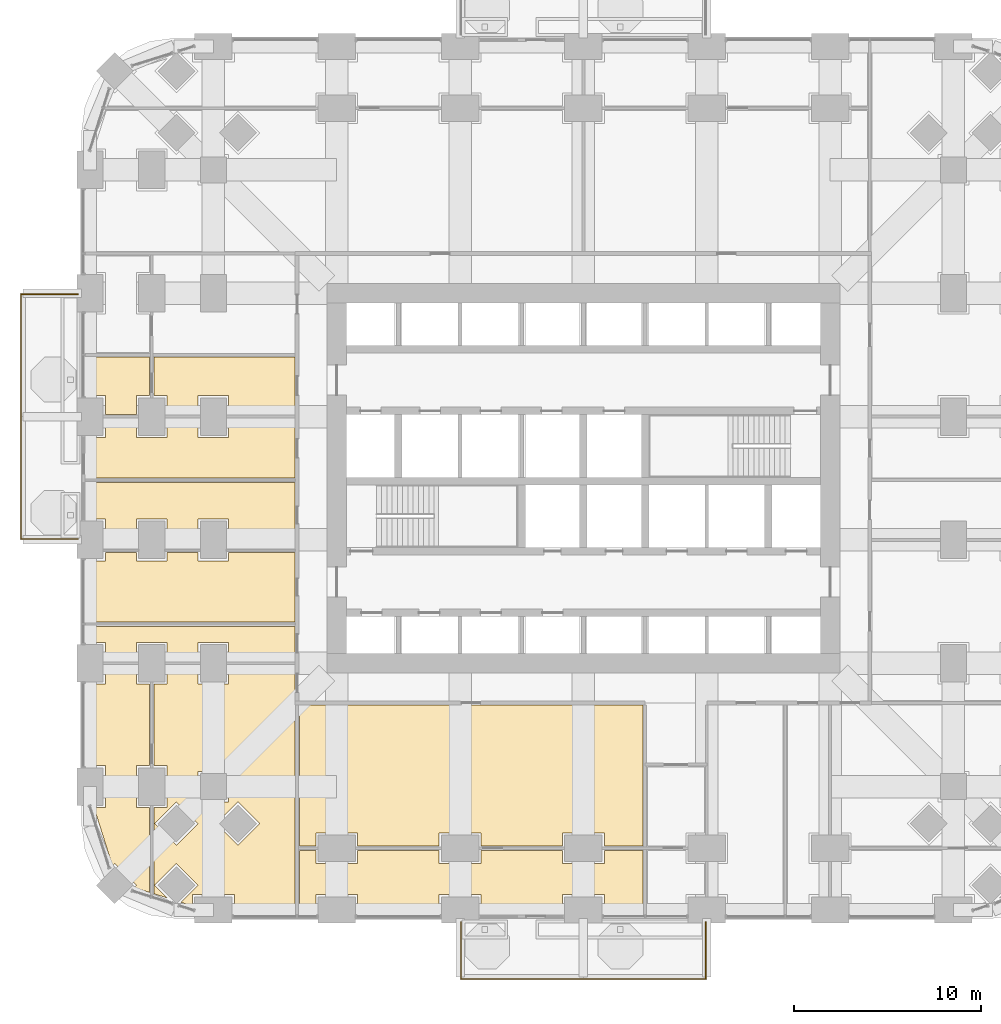
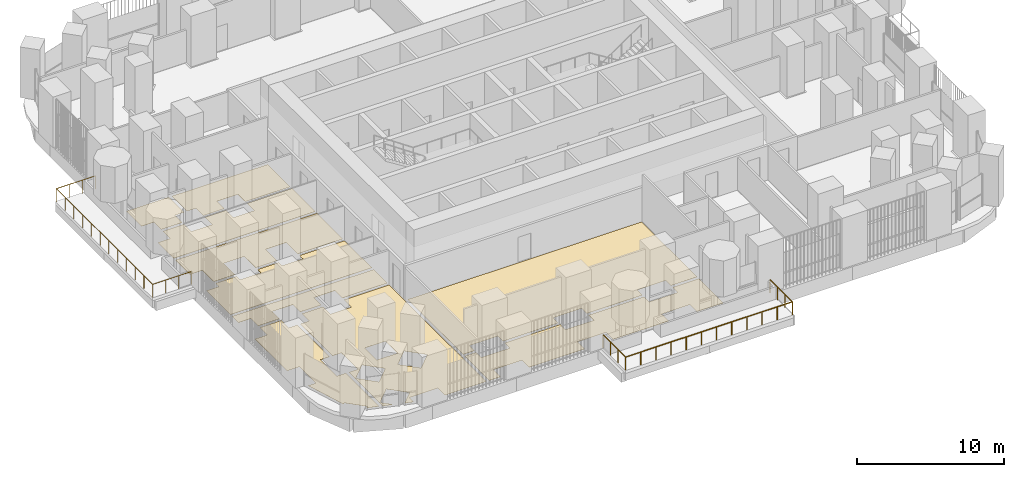
# One storey, part 20 of 24: 10 coverings, 2 railings.
"""IFC4 building model written with IfcOpenShell, lengths in metres."""

from ifc_helpers import new_model, si_unit, direction, frame, origin, place, context, subcontext, project, spatial, polyline, outline, extrude, material, layer, layer_set, type_object, element, save


model = new_model("IFC4")

# Units and contexts
model_context = context("Model", 3, precision=1e-05, world=origin(), true_north=direction((0.0, 1.0)))
body_context = subcontext(model_context, "Body", "Model", "MODEL_VIEW")
ifc_project = project(units=[si_unit("LENGTHUNIT", "METRE"), si_unit("AREAUNIT", "SQUARE_METRE"), si_unit("VOLUMEUNIT", "CUBIC_METRE"), si_unit("PLANEANGLEUNIT", "RADIAN"), si_unit("MASSUNIT", "GRAM", prefix="KILO")], contexts=[model_context])

# Site, building, storey
site_placement = place(None, origin())
site = spatial("IfcSite", under=ifc_project, at=site_placement, CompositionType="ELEMENT")
building_placement = place(site_placement, origin())
building = spatial("IfcBuilding", under=site, at=building_placement, Name="Cobogo Forest Laboratory Tower", CompositionType="ELEMENT")
storey_placement = place(building_placement, frame((0.0, 0.0, 17.10009765625)))
storey = spatial("IfcBuildingStorey", under=building, at=storey_placement, Name="L03", CompositionType="ELEMENT", Elevation=17.10009765625)

# Railings
ifc_material_1 = material(Name="Laminated glass balustrade", Category="glass")
railing_type = type_object("IfcRailingType", Name="BG1 glass balustrade 1100", PredefinedType="GUARDRAIL", material=ifc_material_1)
railing_1_placement = place(storey_placement, frame((19.85009765625, -0.64990234375, 0.0)))
element("IfcRailing", 1, at=railing_1_placement, inside=storey, type_object=railing_type, Name="Balcony balustrade BAL-S1 L03", PredefinedType="GUARDRAIL", context=body_context, shape_type="SweptSolid", body=[
    extrude(outline(polyline([(0.022216796875, 0.00927734375), (0.00927734375, 0.022216796875), (-0.00927734375, 0.022216796875), (-0.022216796875, 0.00927734375), (-0.022216796875, -0.00927734375), (-0.00927734375, -0.022216796875), (0.00927734375, -0.022216796875), (0.022216796875, -0.00927734375), (0.022216796875, 0.00927734375)])), frame((0.0, 0.0, 1.077880859375), z_axis=(0.0, -1.0, 0.0), x_axis=(1.0, 0.0, 0.0)), (0.0, 0.0, 1.0), 3.050048828125),
    extrude(outline(polyline([(0.022216796875, 0.00927734375), (0.00927734375, 0.022216796875), (-0.00927734375, 0.022216796875), (-0.022216796875, 0.00927734375), (-0.022216796875, -0.00927734375), (-0.00927734375, -0.022216796875), (0.00927734375, -0.022216796875), (0.022216796875, -0.00927734375), (0.022216796875, 0.00927734375)])), frame((0.0, -3.050048828125, 1.077880859375), z_axis=(1.0, 0.0, 0.0), x_axis=(0.0, 1.0, 0.0)), (0.0, 0.0, 1.0), 13.099853515625),
    extrude(outline(polyline([(0.022216796875, 0.00927734375), (0.00927734375, 0.022216796875), (-0.00927734375, 0.022216796875), (-0.022216796875, 0.00927734375), (-0.022216796875, -0.00927734375), (-0.00927734375, -0.022216796875), (0.00927734375, -0.022216796875), (0.022216796875, -0.00927734375), (0.022216796875, 0.00927734375)])), frame((13.099853515625, -3.050048828125, 1.077880859375), z_axis=(0.0, 1.0, 0.0), x_axis=(-1.0, 0.0, 0.0)), (0.0, 0.0, 1.0), 3.050048828125),
    extrude(outline(polyline([(0.019287109375, 0.008056640625), (0.008056640625, 0.019287109375), (-0.008056640625, 0.019287109375), (-0.019287109375, 0.008056640625), (-0.019287109375, -0.008056640625), (-0.008056640625, -0.019287109375), (0.008056640625, -0.019287109375), (0.019287109375, -0.008056640625), (0.019287109375, 0.008056640625)])), origin(), (0.0, 0.0, 1.0), 1.077880859375),
    extrude(outline(polyline([(0.019287109375, 0.008056640625), (0.008056640625, 0.019287109375), (-0.008056640625, 0.019287109375), (-0.019287109375, 0.008056640625), (-0.019287109375, -0.008056640625), (-0.008056640625, -0.019287109375), (0.008056640625, -0.019287109375), (0.019287109375, -0.008056640625), (0.019287109375, 0.008056640625)])), frame((0.0, -1.0166015625, 0.0)), (0.0, 0.0, 1.0), 1.077880859375),
    extrude(outline(polyline([(0.019287109375, 0.008056640625), (0.008056640625, 0.019287109375), (-0.008056640625, 0.019287109375), (-0.019287109375, 0.008056640625), (-0.019287109375, -0.008056640625), (-0.008056640625, -0.019287109375), (0.008056640625, -0.019287109375), (0.019287109375, -0.008056640625), (0.019287109375, 0.008056640625)])), frame((0.0, -2.033447265625, 0.0)), (0.0, 0.0, 1.0), 1.077880859375),
    extrude(outline(polyline([(0.019287109375, 0.008056640625), (0.008056640625, 0.019287109375), (-0.008056640625, 0.019287109375), (-0.019287109375, 0.008056640625), (-0.019287109375, -0.008056640625), (-0.008056640625, -0.019287109375), (0.008056640625, -0.019287109375), (0.019287109375, -0.008056640625), (0.019287109375, 0.008056640625)])), frame((0.0, -3.050048828125, 0.0)), (0.0, 0.0, 1.0), 1.077880859375),
    extrude(outline(polyline([(0.019287109375, 0.008056640625), (0.008056640625, 0.019287109375), (-0.008056640625, 0.019287109375), (-0.019287109375, 0.008056640625), (-0.019287109375, -0.008056640625), (-0.008056640625, -0.019287109375), (0.008056640625, -0.019287109375), (0.019287109375, -0.008056640625), (0.019287109375, 0.008056640625)])), frame((1.19091796875, -3.050048828125, 0.0)), (0.0, 0.0, 1.0), 1.077880859375),
    extrude(outline(polyline([(0.019287109375, 0.008056640625), (0.008056640625, 0.019287109375), (-0.008056640625, 0.019287109375), (-0.019287109375, 0.008056640625), (-0.019287109375, -0.008056640625), (-0.008056640625, -0.019287109375), (0.008056640625, -0.019287109375), (0.019287109375, -0.008056640625), (0.019287109375, 0.008056640625)])), frame((2.3818359375, -3.050048828125, 0.0)), (0.0, 0.0, 1.0), 1.077880859375),
    extrude(outline(polyline([(0.019287109375, 0.008056640625), (0.008056640625, 0.019287109375), (-0.008056640625, 0.019287109375), (-0.019287109375, 0.008056640625), (-0.019287109375, -0.008056640625), (-0.008056640625, -0.019287109375), (0.008056640625, -0.019287109375), (0.019287109375, -0.008056640625), (0.019287109375, 0.008056640625)])), frame((3.57275390625, -3.050048828125, 0.0)), (0.0, 0.0, 1.0), 1.077880859375),
    extrude(outline(polyline([(0.019287109375, 0.008056640625), (0.008056640625, 0.019287109375), (-0.008056640625, 0.019287109375), (-0.019287109375, 0.008056640625), (-0.019287109375, -0.008056640625), (-0.008056640625, -0.019287109375), (0.008056640625, -0.019287109375), (0.019287109375, -0.008056640625), (0.019287109375, 0.008056640625)])), frame((4.763671875, -3.050048828125, 0.0)), (0.0, 0.0, 1.0), 1.077880859375),
    extrude(outline(polyline([(0.019287109375, 0.008056640625), (0.008056640625, 0.019287109375), (-0.008056640625, 0.019287109375), (-0.019287109375, 0.008056640625), (-0.019287109375, -0.008056640625), (-0.008056640625, -0.019287109375), (0.008056640625, -0.019287109375), (0.019287109375, -0.008056640625), (0.019287109375, 0.008056640625)])), frame((5.95458984375, -3.050048828125, 0.0)), (0.0, 0.0, 1.0), 1.077880859375),
    extrude(outline(polyline([(0.019287109375, 0.008056640625), (0.008056640625, 0.019287109375), (-0.008056640625, 0.019287109375), (-0.019287109375, 0.008056640625), (-0.019287109375, -0.008056640625), (-0.008056640625, -0.019287109375), (0.008056640625, -0.019287109375), (0.019287109375, -0.008056640625), (0.019287109375, 0.008056640625)])), frame((7.145263671875, -3.050048828125, 0.0)), (0.0, 0.0, 1.0), 1.077880859375),
    extrude(outline(polyline([(0.019287109375, 0.008056640625), (0.008056640625, 0.019287109375), (-0.008056640625, 0.019287109375), (-0.019287109375, 0.008056640625), (-0.019287109375, -0.008056640625), (-0.008056640625, -0.019287109375), (0.008056640625, -0.019287109375), (0.019287109375, -0.008056640625), (0.019287109375, 0.008056640625)])), frame((8.336181640625, -3.050048828125, 0.0)), (0.0, 0.0, 1.0), 1.077880859375),
    extrude(outline(polyline([(0.019287109375, 0.008056640625), (0.008056640625, 0.019287109375), (-0.008056640625, 0.019287109375), (-0.019287109375, 0.008056640625), (-0.019287109375, -0.008056640625), (-0.008056640625, -0.019287109375), (0.008056640625, -0.019287109375), (0.019287109375, -0.008056640625), (0.019287109375, 0.008056640625)])), frame((9.527099609375, -3.050048828125, 0.0)), (0.0, 0.0, 1.0), 1.077880859375),
    extrude(outline(polyline([(0.019287109375, 0.008056640625), (0.008056640625, 0.019287109375), (-0.008056640625, 0.019287109375), (-0.019287109375, 0.008056640625), (-0.019287109375, -0.008056640625), (-0.008056640625, -0.019287109375), (0.008056640625, -0.019287109375), (0.019287109375, -0.008056640625), (0.019287109375, 0.008056640625)])), frame((10.718017578125, -3.050048828125, 0.0)), (0.0, 0.0, 1.0), 1.077880859375),
    extrude(outline(polyline([(0.019287109375, 0.008056640625), (0.008056640625, 0.019287109375), (-0.008056640625, 0.019287109375), (-0.019287109375, 0.008056640625), (-0.019287109375, -0.008056640625), (-0.008056640625, -0.019287109375), (0.008056640625, -0.019287109375), (0.019287109375, -0.008056640625), (0.019287109375, 0.008056640625)])), frame((11.908935546875, -3.050048828125, 0.0)), (0.0, 0.0, 1.0), 1.077880859375),
    extrude(outline(polyline([(0.019287109375, 0.008056640625), (0.008056640625, 0.019287109375), (-0.008056640625, 0.019287109375), (-0.019287109375, 0.008056640625), (-0.019287109375, -0.008056640625), (-0.008056640625, -0.019287109375), (0.008056640625, -0.019287109375), (0.019287109375, -0.008056640625), (0.019287109375, 0.008056640625)])), frame((13.099853515625, -3.050048828125, 0.0)), (0.0, 0.0, 1.0), 1.077880859375),
    extrude(outline(polyline([(0.019287109375, 0.008056640625), (0.008056640625, 0.019287109375), (-0.008056640625, 0.019287109375), (-0.019287109375, 0.008056640625), (-0.019287109375, -0.008056640625), (-0.008056640625, -0.019287109375), (0.008056640625, -0.019287109375), (0.019287109375, -0.008056640625), (0.019287109375, 0.008056640625)])), frame((13.099853515625, -2.033447265625, 0.0)), (0.0, 0.0, 1.0), 1.077880859375),
    extrude(outline(polyline([(0.019287109375, 0.008056640625), (0.008056640625, 0.019287109375), (-0.008056640625, 0.019287109375), (-0.019287109375, 0.008056640625), (-0.019287109375, -0.008056640625), (-0.008056640625, -0.019287109375), (0.008056640625, -0.019287109375), (0.019287109375, -0.008056640625), (0.019287109375, 0.008056640625)])), frame((13.099853515625, -1.0166015625, 0.0)), (0.0, 0.0, 1.0), 1.077880859375),
    extrude(outline(polyline([(0.019287109375, 0.008056640625), (0.008056640625, 0.019287109375), (-0.008056640625, 0.019287109375), (-0.019287109375, 0.008056640625), (-0.019287109375, -0.008056640625), (-0.008056640625, -0.019287109375), (0.008056640625, -0.019287109375), (0.019287109375, -0.008056640625), (0.019287109375, 0.008056640625)])), frame((13.099853515625, 0.0, 0.0)), (0.0, 0.0, 1.0), 1.077880859375),
])
railing_2_placement = place(storey_placement, frame((-0.64990234375, 19.85009765625, 0.0)))
element("IfcRailing", 2, at=railing_2_placement, inside=storey, type_object=railing_type, Name="Balcony balustrade BAL-W1 L03", PredefinedType="GUARDRAIL", context=body_context, shape_type="SweptSolid", body=[
    extrude(outline(polyline([(0.022216796875, 0.00927734375), (0.00927734375, 0.022216796875), (-0.00927734375, 0.022216796875), (-0.022216796875, 0.00927734375), (-0.022216796875, -0.00927734375), (-0.00927734375, -0.022216796875), (0.00927734375, -0.022216796875), (0.022216796875, -0.00927734375), (0.022216796875, 0.00927734375)])), frame((0.0, 0.0, 1.077880859375), z_axis=(-1.0, 0.0, 0.0), x_axis=(0.0, -1.0, 0.0)), (0.0, 0.0, 1.0), 3.050048828125),
    extrude(outline(polyline([(0.022216796875, 0.00927734375), (0.00927734375, 0.022216796875), (-0.00927734375, 0.022216796875), (-0.022216796875, 0.00927734375), (-0.022216796875, -0.00927734375), (-0.00927734375, -0.022216796875), (0.00927734375, -0.022216796875), (0.022216796875, -0.00927734375), (0.022216796875, 0.00927734375)])), frame((-3.050048828125, 0.0, 1.077880859375), z_axis=(0.0, 1.0, 0.0), x_axis=(-1.0, 0.0, 0.0)), (0.0, 0.0, 1.0), 13.099853515625),
    extrude(outline(polyline([(0.022216796875, 0.00927734375), (0.00927734375, 0.022216796875), (-0.00927734375, 0.022216796875), (-0.022216796875, 0.00927734375), (-0.022216796875, -0.00927734375), (-0.00927734375, -0.022216796875), (0.00927734375, -0.022216796875), (0.022216796875, -0.00927734375), (0.022216796875, 0.00927734375)])), frame((-3.050048828125, 13.099853515625, 1.077880859375), z_axis=(1.0, 0.0, 0.0), x_axis=(0.0, 1.0, 0.0)), (0.0, 0.0, 1.0), 3.050048828125),
    extrude(outline(polyline([(0.019287109375, 0.008056640625), (0.008056640625, 0.019287109375), (-0.008056640625, 0.019287109375), (-0.019287109375, 0.008056640625), (-0.019287109375, -0.008056640625), (-0.008056640625, -0.019287109375), (0.008056640625, -0.019287109375), (0.019287109375, -0.008056640625), (0.019287109375, 0.008056640625)])), origin(), (0.0, 0.0, 1.0), 1.077880859375),
    extrude(outline(polyline([(0.019287109375, 0.008056640625), (0.008056640625, 0.019287109375), (-0.008056640625, 0.019287109375), (-0.019287109375, 0.008056640625), (-0.019287109375, -0.008056640625), (-0.008056640625, -0.019287109375), (0.008056640625, -0.019287109375), (0.019287109375, -0.008056640625), (0.019287109375, 0.008056640625)])), frame((-1.0166015625, 0.0, 0.0)), (0.0, 0.0, 1.0), 1.077880859375),
    extrude(outline(polyline([(0.019287109375, 0.008056640625), (0.008056640625, 0.019287109375), (-0.008056640625, 0.019287109375), (-0.019287109375, 0.008056640625), (-0.019287109375, -0.008056640625), (-0.008056640625, -0.019287109375), (0.008056640625, -0.019287109375), (0.019287109375, -0.008056640625), (0.019287109375, 0.008056640625)])), frame((-2.033447265625, 0.0, 0.0)), (0.0, 0.0, 1.0), 1.077880859375),
    extrude(outline(polyline([(0.019287109375, 0.008056640625), (0.008056640625, 0.019287109375), (-0.008056640625, 0.019287109375), (-0.019287109375, 0.008056640625), (-0.019287109375, -0.008056640625), (-0.008056640625, -0.019287109375), (0.008056640625, -0.019287109375), (0.019287109375, -0.008056640625), (0.019287109375, 0.008056640625)])), frame((-3.050048828125, 0.0, 0.0)), (0.0, 0.0, 1.0), 1.077880859375),
    extrude(outline(polyline([(0.019287109375, 0.008056640625), (0.008056640625, 0.019287109375), (-0.008056640625, 0.019287109375), (-0.019287109375, 0.008056640625), (-0.019287109375, -0.008056640625), (-0.008056640625, -0.019287109375), (0.008056640625, -0.019287109375), (0.019287109375, -0.008056640625), (0.019287109375, 0.008056640625)])), frame((-3.050048828125, 1.19091796875, 0.0)), (0.0, 0.0, 1.0), 1.077880859375),
    extrude(outline(polyline([(0.019287109375, 0.008056640625), (0.008056640625, 0.019287109375), (-0.008056640625, 0.019287109375), (-0.019287109375, 0.008056640625), (-0.019287109375, -0.008056640625), (-0.008056640625, -0.019287109375), (0.008056640625, -0.019287109375), (0.019287109375, -0.008056640625), (0.019287109375, 0.008056640625)])), frame((-3.050048828125, 2.3818359375, 0.0)), (0.0, 0.0, 1.0), 1.077880859375),
    extrude(outline(polyline([(0.019287109375, 0.008056640625), (0.008056640625, 0.019287109375), (-0.008056640625, 0.019287109375), (-0.019287109375, 0.008056640625), (-0.019287109375, -0.008056640625), (-0.008056640625, -0.019287109375), (0.008056640625, -0.019287109375), (0.019287109375, -0.008056640625), (0.019287109375, 0.008056640625)])), frame((-3.050048828125, 3.57275390625, 0.0)), (0.0, 0.0, 1.0), 1.077880859375),
    extrude(outline(polyline([(0.019287109375, 0.008056640625), (0.008056640625, 0.019287109375), (-0.008056640625, 0.019287109375), (-0.019287109375, 0.008056640625), (-0.019287109375, -0.008056640625), (-0.008056640625, -0.019287109375), (0.008056640625, -0.019287109375), (0.019287109375, -0.008056640625), (0.019287109375, 0.008056640625)])), frame((-3.050048828125, 4.763671875, 0.0)), (0.0, 0.0, 1.0), 1.077880859375),
    extrude(outline(polyline([(0.019287109375, 0.008056640625), (0.008056640625, 0.019287109375), (-0.008056640625, 0.019287109375), (-0.019287109375, 0.008056640625), (-0.019287109375, -0.008056640625), (-0.008056640625, -0.019287109375), (0.008056640625, -0.019287109375), (0.019287109375, -0.008056640625), (0.019287109375, 0.008056640625)])), frame((-3.050048828125, 5.95458984375, 0.0)), (0.0, 0.0, 1.0), 1.077880859375),
    extrude(outline(polyline([(0.019287109375, 0.008056640625), (0.008056640625, 0.019287109375), (-0.008056640625, 0.019287109375), (-0.019287109375, 0.008056640625), (-0.019287109375, -0.008056640625), (-0.008056640625, -0.019287109375), (0.008056640625, -0.019287109375), (0.019287109375, -0.008056640625), (0.019287109375, 0.008056640625)])), frame((-3.050048828125, 7.145263671875, 0.0)), (0.0, 0.0, 1.0), 1.077880859375),
    extrude(outline(polyline([(0.019287109375, 0.008056640625), (0.008056640625, 0.019287109375), (-0.008056640625, 0.019287109375), (-0.019287109375, 0.008056640625), (-0.019287109375, -0.008056640625), (-0.008056640625, -0.019287109375), (0.008056640625, -0.019287109375), (0.019287109375, -0.008056640625), (0.019287109375, 0.008056640625)])), frame((-3.050048828125, 8.336181640625, 0.0)), (0.0, 0.0, 1.0), 1.077880859375),
    extrude(outline(polyline([(0.019287109375, 0.008056640625), (0.008056640625, 0.019287109375), (-0.008056640625, 0.019287109375), (-0.019287109375, 0.008056640625), (-0.019287109375, -0.008056640625), (-0.008056640625, -0.019287109375), (0.008056640625, -0.019287109375), (0.019287109375, -0.008056640625), (0.019287109375, 0.008056640625)])), frame((-3.050048828125, 9.527099609375, 0.0)), (0.0, 0.0, 1.0), 1.077880859375),
    extrude(outline(polyline([(0.019287109375, 0.008056640625), (0.008056640625, 0.019287109375), (-0.008056640625, 0.019287109375), (-0.019287109375, 0.008056640625), (-0.019287109375, -0.008056640625), (-0.008056640625, -0.019287109375), (0.008056640625, -0.019287109375), (0.019287109375, -0.008056640625), (0.019287109375, 0.008056640625)])), frame((-3.050048828125, 10.718017578125, 0.0)), (0.0, 0.0, 1.0), 1.077880859375),
    extrude(outline(polyline([(0.019287109375, 0.008056640625), (0.008056640625, 0.019287109375), (-0.008056640625, 0.019287109375), (-0.019287109375, 0.008056640625), (-0.019287109375, -0.008056640625), (-0.008056640625, -0.019287109375), (0.008056640625, -0.019287109375), (0.019287109375, -0.008056640625), (0.019287109375, 0.008056640625)])), frame((-3.050048828125, 11.908935546875, 0.0)), (0.0, 0.0, 1.0), 1.077880859375),
    extrude(outline(polyline([(0.019287109375, 0.008056640625), (0.008056640625, 0.019287109375), (-0.008056640625, 0.019287109375), (-0.019287109375, 0.008056640625), (-0.019287109375, -0.008056640625), (-0.008056640625, -0.019287109375), (0.008056640625, -0.019287109375), (0.019287109375, -0.008056640625), (0.019287109375, 0.008056640625)])), frame((-3.050048828125, 13.099853515625, 0.0)), (0.0, 0.0, 1.0), 1.077880859375),
    extrude(outline(polyline([(0.019287109375, 0.008056640625), (0.008056640625, 0.019287109375), (-0.008056640625, 0.019287109375), (-0.019287109375, 0.008056640625), (-0.019287109375, -0.008056640625), (-0.008056640625, -0.019287109375), (0.008056640625, -0.019287109375), (0.019287109375, -0.008056640625), (0.019287109375, 0.008056640625)])), frame((-2.033447265625, 13.099853515625, 0.0)), (0.0, 0.0, 1.0), 1.077880859375),
    extrude(outline(polyline([(0.019287109375, 0.008056640625), (0.008056640625, 0.019287109375), (-0.008056640625, 0.019287109375), (-0.019287109375, 0.008056640625), (-0.019287109375, -0.008056640625), (-0.008056640625, -0.019287109375), (0.008056640625, -0.019287109375), (0.019287109375, -0.008056640625), (0.019287109375, 0.008056640625)])), frame((-1.0166015625, 13.099853515625, 0.0)), (0.0, 0.0, 1.0), 1.077880859375),
    extrude(outline(polyline([(0.019287109375, 0.008056640625), (0.008056640625, 0.019287109375), (-0.008056640625, 0.019287109375), (-0.019287109375, 0.008056640625), (-0.019287109375, -0.008056640625), (-0.008056640625, -0.019287109375), (0.008056640625, -0.019287109375), (0.019287109375, -0.008056640625), (0.019287109375, 0.008056640625)])), frame((0.0, 13.099853515625, 0.0)), (0.0, 0.0, 1.0), 1.077880859375),
])

# Coverings
ifc_material_2 = material(Name="Carpet tile on raised access floor", Category="flooring")
ifc_layer_1 = layer(ifc_material_2, 0.008056640625)
ifc_layer_set_1 = layer_set([ifc_layer_1], Name="CT1 carpet tile floor 8")
covering_type_1 = type_object("IfcCoveringType", Name="CT1 carpet tile floor 8", PredefinedType="FLOORING", material=ifc_layer_set_1)
covering_1_placement = place(storey_placement, origin())
element("IfcCovering", 3, at=covering_1_placement, inside=storey, type_object=covering_type_1, Name="Carpet floor L03-02", PredefinedType="FLOORING", context=body_context, shape_type="SweptSolid", body=[
    extrude(outline(polyline([(12.080078125, 3.179931640625), (12.080078125, 2.47998046875), (14.320068359375, 2.47998046875), (14.320068359375, 3.179931640625), (18.679931640625, 3.179931640625), (18.679931640625, 2.47998046875), (20.919921875, 2.47998046875), (20.919921875, 3.179931640625), (25.280029296875, 3.179931640625), (25.280029296875, 2.47998046875), (27.52001953125, 2.47998046875), (27.52001953125, 3.179931640625), (29.580078125, 3.179931640625), (29.580078125, -0.14990234375), (27.52001953125, -0.14990234375), (27.52001953125, 0.820068359375), (25.280029296875, 0.820068359375), (25.280029296875, -0.14990234375), (20.919921875, -0.14990234375), (20.919921875, 0.820068359375), (18.679931640625, 0.820068359375), (18.679931640625, -0.14990234375), (14.320068359375, -0.14990234375), (14.320068359375, 0.820068359375), (12.080078125, 0.820068359375), (12.080078125, -0.14990234375), (11.195068359375, -0.14990234375), (11.195068359375, 3.179931640625), (12.080078125, 3.179931640625)])), origin(), (0.0, 0.0, 1.0), 0.0078125),
])
covering_2_placement = place(storey_placement, origin())
element("IfcCovering", 4, at=covering_2_placement, inside=storey, type_object=covering_type_1, Name="Carpet floor L03-20", PredefinedType="FLOORING", context=body_context, shape_type="SweptSolid", body=[
    extrude(outline(polyline([(3.179931640625, 7.719970703125), (2.47998046875, 7.719970703125), (2.47998046875, 5.47998046875), (3.179931640625, 5.47998046875), (3.179931640625, 0.939697265625), (2.358642578125, 1.19921875), (2.477783203125, 1.318115234375), (1.318115234375, 2.477783203125), (1.19921875, 2.358642578125), (0.21337890625, 5.47998046875), (0.820068359375, 5.47998046875), (0.820068359375, 7.719970703125), (-0.14990234375, 7.719970703125), (-0.14990234375, 12.080078125), (0.820068359375, 12.080078125), (0.820068359375, 13.080078125), (2.47998046875, 13.080078125), (2.47998046875, 12.080078125), (3.179931640625, 12.080078125), (3.179931640625, 7.719970703125)])), origin(), (0.0, 0.0, 1.0), 0.0078125),
])
covering_3_placement = place(storey_placement, origin())
element("IfcCovering", 5, at=covering_3_placement, inside=storey, type_object=covering_type_1, Name="Carpet floor L03-26", PredefinedType="FLOORING", context=body_context, shape_type="SweptSolid", body=[
    extrude(outline(polyline([(3.179931640625, 27.52001953125), (2.47998046875, 27.52001953125), (2.47998046875, 26.52001953125), (0.820068359375, 26.52001953125), (0.820068359375, 27.52001953125), (-0.14990234375, 27.52001953125), (-0.14990234375, 29.580078125), (3.179931640625, 29.580078125), (3.179931640625, 27.52001953125)])), origin(), (0.0, 0.0, 1.0), 0.0078125),
])
ifc_material_3 = material(Name="Epoxy resin flooring", Category="flooring")
ifc_layer_2 = layer(ifc_material_3, 0.00390625)
ifc_layer_set_2 = layer_set([ifc_layer_2], Name="LF1 epoxy laboratory floor 4")
covering_type_2 = type_object("IfcCoveringType", Name="LF1 epoxy laboratory floor 4", PredefinedType="FLOORING", material=ifc_layer_set_2)
covering_4_placement = place(storey_placement, origin())
element("IfcCovering", 6, at=covering_4_placement, inside=storey, type_object=covering_type_2, Name="Epoxy laboratory floor L03-01", PredefinedType="FLOORING", context=body_context, shape_type="SweptSolid", body=[
    extrude(outline(polyline([(11.195068359375, 10.955078125), (29.580078125, 10.955078125), (29.580078125, 3.419921875), (27.52001953125, 3.419921875), (27.52001953125, 4.1201171875), (25.280029296875, 4.1201171875), (25.280029296875, 3.419921875), (20.919921875, 3.419921875), (20.919921875, 4.1201171875), (18.679931640625, 4.1201171875), (18.679931640625, 3.419921875), (14.320068359375, 3.419921875), (14.320068359375, 4.1201171875), (12.080078125, 4.1201171875), (12.080078125, 3.419921875), (11.195068359375, 3.419921875), (11.195068359375, 10.955078125)])), origin(), (0.0, 0.0, 1.0), 0.00390625),
])
covering_5_placement = place(storey_placement, origin())
element("IfcCovering", 7, at=covering_5_placement, inside=storey, type_object=covering_type_2, Name="Epoxy laboratory floor L03-19", PredefinedType="FLOORING", context=body_context, shape_type="SweptSolid", body=[
    extrude(outline(polyline([(5.780029296875, 13.080078125), (5.780029296875, 12.080078125), (7.419921875, 12.080078125), (7.419921875, 13.080078125), (10.955078125, 13.080078125), (10.955078125, -0.14990234375), (7.719970703125, -0.14990234375), (7.719970703125, 0.820068359375), (5.47998046875, 0.820068359375), (5.47998046875, 0.21337890625), (4.86669921875, 0.406982421875), (5.777587890625, 1.318115234375), (4.617919921875, 2.477783203125), (3.458251953125, 1.318115234375), (4.1396484375, 0.63671875), (3.419921875, 0.864013671875), (3.419921875, 5.47998046875), (4.1201171875, 5.47998046875), (4.1201171875, 7.719970703125), (3.419921875, 7.719970703125), (3.419921875, 12.080078125), (4.1201171875, 12.080078125), (4.1201171875, 13.080078125), (5.780029296875, 13.080078125)]), holes=[polyline([(7.91796875, 5.777587890625), (6.75830078125, 4.617919921875), (7.91796875, 3.458251953125), (9.07763671875, 4.617919921875), (7.91796875, 5.777587890625)]), polyline([(5.780029296875, 7.419921875), (5.780029296875, 5.780029296875), (7.419921875, 5.780029296875), (7.419921875, 7.419921875), (5.780029296875, 7.419921875)]), polyline([(3.458251953125, 4.617919921875), (4.617919921875, 3.458251953125), (5.777587890625, 4.617919921875), (4.617919921875, 5.777587890625), (3.458251953125, 4.617919921875)])]), origin(), (0.0, 0.0, 1.0), 0.00390625),
])
covering_6_placement = place(storey_placement, origin())
element("IfcCovering", 8, at=covering_6_placement, inside=storey, type_object=covering_type_2, Name="Epoxy laboratory floor L03-25", PredefinedType="FLOORING", context=body_context, shape_type="SweptSolid", body=[
    extrude(outline(polyline([(3.419921875, 29.580078125), (10.955078125, 29.580078125), (10.955078125, 26.52001953125), (7.419921875, 26.52001953125), (7.419921875, 27.52001953125), (5.780029296875, 27.52001953125), (5.780029296875, 26.52001953125), (4.1201171875, 26.52001953125), (4.1201171875, 27.52001953125), (3.419921875, 27.52001953125), (3.419921875, 29.580078125)])), origin(), (0.0, 0.0, 1.0), 0.00390625),
])
ifc_material_4 = material(Name="Ceramic floor tile", Category="flooring")
ifc_layer_3 = layer(ifc_material_4, 0.010009765625)
ifc_layer_set_3 = layer_set([ifc_layer_3], Name="TF1 ceramic tile floor 10")
covering_type_3 = type_object("IfcCoveringType", Name="TF1 ceramic tile floor 10", PredefinedType="FLOORING", material=ifc_layer_set_3)
covering_7_placement = place(storey_placement, origin())
element("IfcCovering", 9, at=covering_7_placement, inside=storey, type_object=covering_type_3, Name="Tile floor L03-21", PredefinedType="FLOORING", context=body_context, shape_type="SweptSolid", body=[
    extrude(outline(polyline([(10.955078125, 13.320068359375), (7.419921875, 13.320068359375), (7.419921875, 14.320068359375), (5.780029296875, 14.320068359375), (5.780029296875, 13.320068359375), (4.1201171875, 13.320068359375), (4.1201171875, 14.320068359375), (2.47998046875, 14.320068359375), (2.47998046875, 13.320068359375), (0.820068359375, 13.320068359375), (0.820068359375, 14.320068359375), (-0.14990234375, 14.320068359375), (-0.14990234375, 15.179931640625), (10.955078125, 15.179931640625), (10.955078125, 13.320068359375)])), origin(), (0.0, 0.0, 1.0), 0.010009765625),
])
covering_8_placement = place(storey_placement, origin())
element("IfcCovering", 10, at=covering_8_placement, inside=storey, type_object=covering_type_3, Name="Tile floor L03-22", PredefinedType="FLOORING", context=body_context, shape_type="SweptSolid", body=[
    extrude(outline(polyline([(10.955078125, 15.419921875), (-0.14990234375, 15.419921875), (-0.14990234375, 18.679931640625), (0.820068359375, 18.679931640625), (0.820068359375, 19.1298828125), (2.47998046875, 19.1298828125), (2.47998046875, 18.679931640625), (4.1201171875, 18.679931640625), (4.1201171875, 19.1298828125), (5.780029296875, 19.1298828125), (5.780029296875, 18.679931640625), (7.419921875, 18.679931640625), (7.419921875, 19.1298828125), (10.955078125, 19.1298828125), (10.955078125, 15.419921875)])), origin(), (0.0, 0.0, 1.0), 0.010009765625),
])
covering_9_placement = place(storey_placement, origin())
element("IfcCovering", 11, at=covering_9_placement, inside=storey, type_object=covering_type_3, Name="Tile floor L03-23", PredefinedType="FLOORING", context=body_context, shape_type="SweptSolid", body=[
    extrude(outline(polyline([(10.955078125, 19.3701171875), (7.419921875, 19.3701171875), (7.419921875, 20.919921875), (5.780029296875, 20.919921875), (5.780029296875, 19.3701171875), (4.1201171875, 19.3701171875), (4.1201171875, 20.919921875), (2.47998046875, 20.919921875), (2.47998046875, 19.3701171875), (0.820068359375, 19.3701171875), (0.820068359375, 20.919921875), (-0.14990234375, 20.919921875), (-0.14990234375, 22.8798828125), (10.955078125, 22.8798828125), (10.955078125, 19.3701171875)])), origin(), (0.0, 0.0, 1.0), 0.010009765625),
])
covering_10_placement = place(storey_placement, origin())
element("IfcCovering", 12, at=covering_10_placement, inside=storey, type_object=covering_type_3, Name="Tile floor L03-24", PredefinedType="FLOORING", context=body_context, shape_type="SweptSolid", body=[
    extrude(outline(polyline([(10.955078125, 23.1201171875), (-0.14990234375, 23.1201171875), (-0.14990234375, 25.280029296875), (0.820068359375, 25.280029296875), (0.820068359375, 26.280029296875), (2.47998046875, 26.280029296875), (2.47998046875, 25.280029296875), (4.1201171875, 25.280029296875), (4.1201171875, 26.280029296875), (5.780029296875, 26.280029296875), (5.780029296875, 25.280029296875), (7.419921875, 25.280029296875), (7.419921875, 26.280029296875), (10.955078125, 26.280029296875), (10.955078125, 23.1201171875)])), origin(), (0.0, 0.0, 1.0), 0.010009765625),
])

save(model, "model.ifc")
